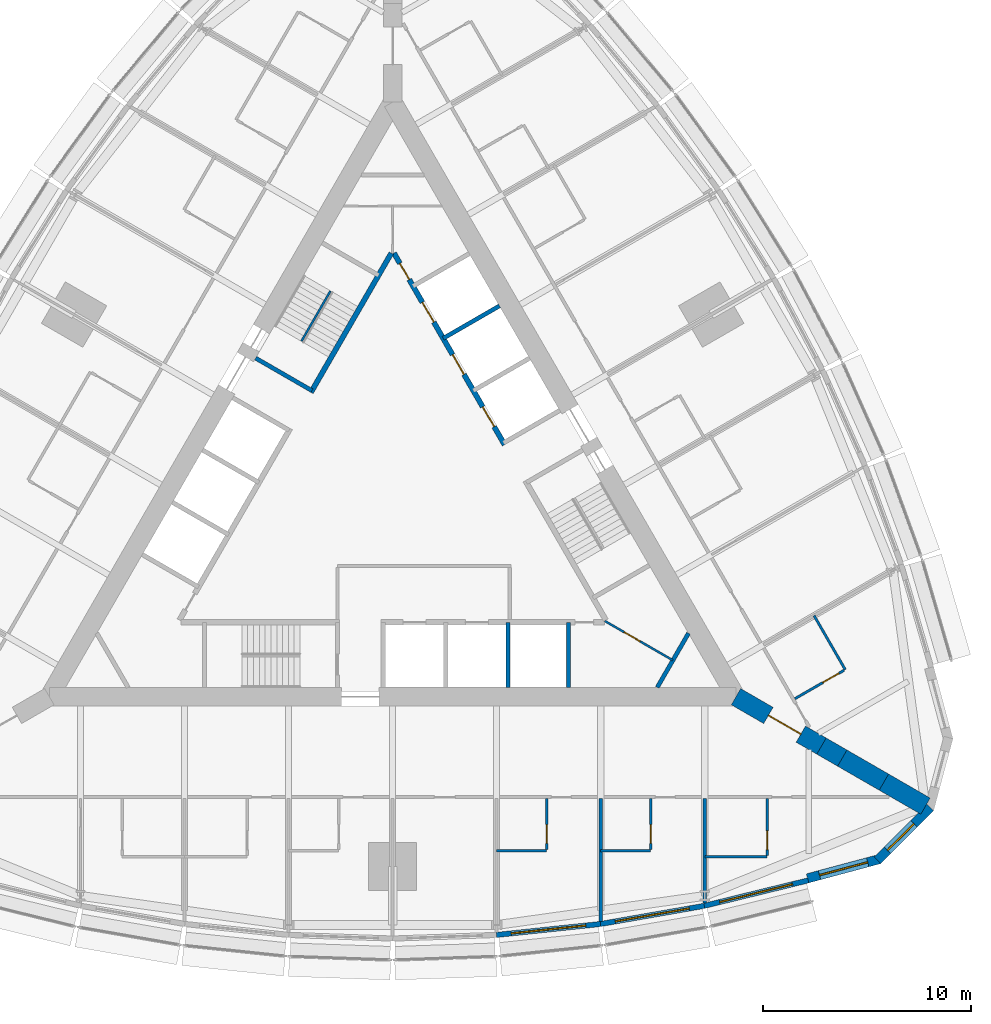
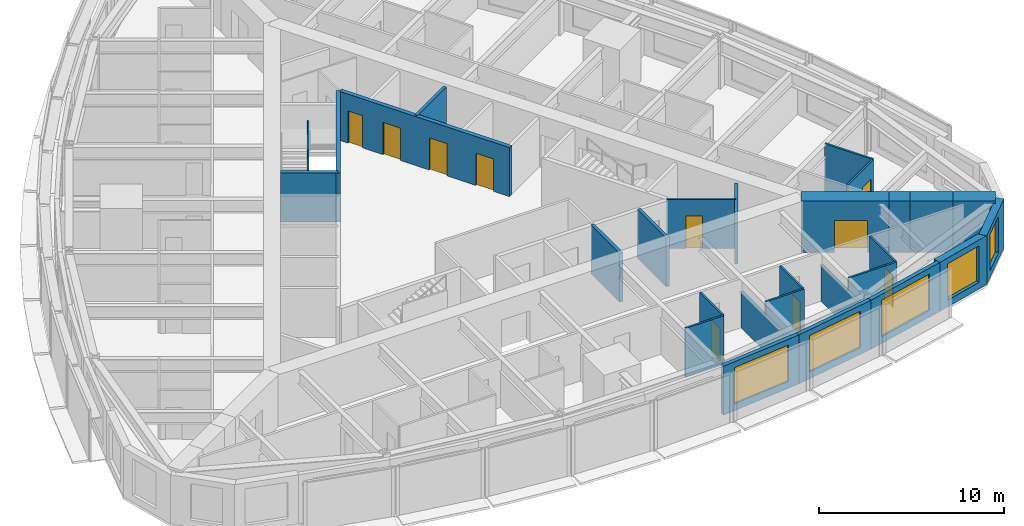
# One storey, part 10 of 14: 28 walls, 10 doors, 5 windows, 15 openings.
"""IFC4 building model written with IfcOpenShell, lengths in metres."""

from ifc_helpers import new_model, si_unit, direction, frame, frame_2d, origin, place, context, subcontext, project, spatial, polyline, rectangle, outline, extrude, material, layer, layer_set, type_object, element, fill, save


model = new_model("IFC4")

# Units and contexts
model_context = context("Model", 3, precision=1e-05, world=origin(), true_north=direction((0.0, 1.0)))
body_context = subcontext(model_context, "Body", "Model", "MODEL_VIEW")
ifc_project = project(units=[si_unit("LENGTHUNIT", "METRE"), si_unit("AREAUNIT", "SQUARE_METRE"), si_unit("VOLUMEUNIT", "CUBIC_METRE"), si_unit("PLANEANGLEUNIT", "RADIAN"), si_unit("MASSUNIT", "GRAM", prefix="KILO")], contexts=[model_context])

# Site, building, storey
site_placement = place(None, origin())
site = spatial("IfcSite", under=ifc_project, at=site_placement, CompositionType="ELEMENT")
building_placement = place(site_placement, origin())
building = spatial("IfcBuilding", under=site, at=building_placement, Name="Trikona Tower", CompositionType="ELEMENT")
storey_placement = place(building_placement, frame((0.0, 0.0, 145.300048828125)))
storey = spatial("IfcBuildingStorey", under=building, at=storey_placement, Name="L38", CompositionType="ELEMENT", Elevation=145.300048828125)

# Wall
ifc_material_1 = material(Name="Metal stud and cement board", Category="gypsum")
ifc_layer_1 = layer(ifc_material_1, 0.1201171875)
ifc_layer_set_1 = layer_set([ifc_layer_1], Name="Bathroom wall 120")
wall_type_1 = type_object("IfcWallType", Name="Bathroom wall 120", PredefinedType="PLUMBINGWALL", material=ifc_layer_set_1)
wall_1_placement = place(storey_placement, frame((5.0, -16.92626953125, 0.0), z_axis=(0.0, 0.0, 1.0), x_axis=(1.0, 0.0, 0.0)))
element("IfcWall", 1, at=wall_1_placement, inside=storey, type_object=wall_type_1, Name="Bathroom wall 3804", PredefinedType="PLUMBINGWALL", context=body_context, shape_type="SweptSolid", body=[
    extrude(rectangle(XDim=2.39990234375, YDim=0.1201171875, at=frame_2d((1.199951171875, 0.0))), origin(), (0.0, 0.0, 1.0), 3.23486328125),
])

# Wall, opening, door
wall_2_placement = place(storey_placement, frame((7.39990234375, -14.42626953125, 0.0), z_axis=(0.0, 0.0, 1.0), x_axis=(0.0, -1.0, 0.0)))
wall_2 = element("IfcWall", 2, at=wall_2_placement, inside=storey, type_object=wall_type_1, Name="Bathroom wall 3804", PredefinedType="PLUMBINGWALL", context=body_context, shape_type="SweptSolid", body=[
    extrude(rectangle(XDim=2.43994140625, YDim=0.1201171875, at=frame_2d((1.219970703125, 0.0))), origin(), (0.0, 0.0, 1.0), 3.23486328125),
])
opening_1_placement = place(wall_2_placement, frame((1.25, 0.0, 0.0)))
opening_1 = element("IfcOpeningElement", 3, at=opening_1_placement, cuts=wall_2, Name="Opening D2", PredefinedType="OPENING", context=body_context, shape_type="SweptSolid", body=[
    extrude(rectangle(XDim=0.89990234375, YDim=2.1298828125, at=frame_2d((0.449951171875, 1.06494140625))), frame((0.0, 0.070068359375, 0.0), z_axis=(0.0, -1.0, 0.0), x_axis=(1.0, 0.0, 0.0)), (0.0, 0.0, 1.0), 0.14013671875),
])
ifc_material_2 = material(Name="Steel door frame with solid-core timber leaf", Category="steel")
door_type_1 = type_object("IfcDoorType", Name="Bathroom door 900x2130", OperationType="SLIDING_TO_LEFT", PredefinedType="DOOR", material=ifc_material_2)
door_1_placement = place(opening_1_placement, origin())
door_1 = element("IfcDoor", 4, at=door_1_placement, inside=storey, type_object=door_type_1, Name="Bathroom door 3804", OperationType="SLIDING_TO_LEFT", OverallHeight=2.1298828125, OverallWidth=0.89990234375, PredefinedType="DOOR", context=body_context, shape_type="SweptSolid", body=[
    extrude(rectangle(XDim=0.89990234375, YDim=2.1298828125, at=frame_2d((0.449951171875, 1.06494140625))), frame((0.0, 0.02490234375, 0.0), z_axis=(0.0, -1.0, 0.0), x_axis=(1.0, 0.0, 0.0)), (0.0, 0.0, 1.0), 0.050048828125),
])
fill(opening_1, door_1)

# Wall
wall_3_placement = place(storey_placement, frame((10.0, -16.92626953125, 0.0), z_axis=(0.0, 0.0, 1.0), x_axis=(1.0, 0.0, 0.0)))
element("IfcWall", 5, at=wall_3_placement, inside=storey, type_object=wall_type_1, Name="Bathroom wall 3805", PredefinedType="PLUMBINGWALL", context=body_context, shape_type="SweptSolid", body=[
    extrude(rectangle(XDim=2.39990234375, YDim=0.1201171875, at=frame_2d((1.199951171875, 0.0))), origin(), (0.0, 0.0, 1.0), 3.23486328125),
])

# Wall, opening, door
wall_4_placement = place(storey_placement, frame((12.39990234375, -14.42626953125, 0.0), z_axis=(0.0, 0.0, 1.0), x_axis=(0.0, -1.0, 0.0)))
wall_4 = element("IfcWall", 6, at=wall_4_placement, inside=storey, type_object=wall_type_1, Name="Bathroom wall 3805", PredefinedType="PLUMBINGWALL", context=body_context, shape_type="SweptSolid", body=[
    extrude(rectangle(XDim=2.43994140625, YDim=0.1201171875, at=frame_2d((1.219970703125, 0.0))), origin(), (0.0, 0.0, 1.0), 3.23486328125),
])
opening_2_placement = place(wall_4_placement, frame((1.25, 0.0, 0.0)))
opening_2 = element("IfcOpeningElement", 7, at=opening_2_placement, cuts=wall_4, Name="Opening D2", PredefinedType="OPENING", context=body_context, shape_type="SweptSolid", body=[
    extrude(rectangle(XDim=0.89990234375, YDim=2.1298828125, at=frame_2d((0.449951171875, 1.06494140625))), frame((0.0, 0.070068359375, 0.0), z_axis=(0.0, -1.0, 0.0), x_axis=(1.0, 0.0, 0.0)), (0.0, 0.0, 1.0), 0.14013671875),
])
door_2_placement = place(opening_2_placement, origin())
door_2 = element("IfcDoor", 8, at=door_2_placement, inside=storey, type_object=door_type_1, Name="Bathroom door 3805", OperationType="SLIDING_TO_LEFT", OverallHeight=2.1298828125, OverallWidth=0.89990234375, PredefinedType="DOOR", context=body_context, shape_type="SweptSolid", body=[
    extrude(rectangle(XDim=0.89990234375, YDim=2.1298828125, at=frame_2d((0.449951171875, 1.06494140625))), frame((0.0, 0.02490234375, 0.0), z_axis=(0.0, -1.0, 0.0), x_axis=(1.0, 0.0, 0.0)), (0.0, 0.0, 1.0), 0.050048828125),
])
fill(opening_2, door_2)

# Wall
wall_5_placement = place(storey_placement, frame((15.0, -17.226318359375, 0.0), z_axis=(0.0, 0.0, 1.0), x_axis=(1.0, 0.0, 0.0)))
element("IfcWall", 9, at=wall_5_placement, inside=storey, type_object=wall_type_1, Name="Bathroom wall 3806", PredefinedType="PLUMBINGWALL", context=body_context, shape_type="SweptSolid", body=[
    extrude(rectangle(XDim=3.0, YDim=0.1201171875, at=frame_2d((1.5, 0.0))), origin(), (0.0, 0.0, 1.0), 3.23486328125),
])

# Wall, opening, door
wall_6_placement = place(storey_placement, frame((18.0, -14.42626953125, 0.0), z_axis=(0.0, 0.0, 1.0), x_axis=(0.0, -1.0, 0.0)))
wall_6 = element("IfcWall", 10, at=wall_6_placement, inside=storey, type_object=wall_type_1, Name="Bathroom wall 3806", PredefinedType="PLUMBINGWALL", context=body_context, shape_type="SweptSolid", body=[
    extrude(rectangle(XDim=2.739990234375, YDim=0.1201171875, at=frame_2d((1.3701171875, 0.0))), origin(), (0.0, 0.0, 1.0), 3.23486328125),
])
opening_3_placement = place(wall_6_placement, frame((1.550048828125, 0.0, 0.0)))
opening_3 = element("IfcOpeningElement", 11, at=opening_3_placement, cuts=wall_6, Name="Opening D2", PredefinedType="OPENING", context=body_context, shape_type="SweptSolid", body=[
    extrude(rectangle(XDim=0.89990234375, YDim=2.1298828125, at=frame_2d((0.449951171875, 1.06494140625))), frame((0.0, 0.070068359375, 0.0), z_axis=(0.0, -1.0, 0.0), x_axis=(1.0, 0.0, 0.0)), (0.0, 0.0, 1.0), 0.14013671875),
])
door_3_placement = place(opening_3_placement, origin())
door_3 = element("IfcDoor", 12, at=door_3_placement, inside=storey, type_object=door_type_1, Name="Bathroom door 3806", OperationType="SLIDING_TO_LEFT", OverallHeight=2.1298828125, OverallWidth=0.89990234375, PredefinedType="DOOR", context=body_context, shape_type="SweptSolid", body=[
    extrude(rectangle(XDim=0.89990234375, YDim=2.1298828125, at=frame_2d((0.449951171875, 1.06494140625))), frame((0.0, 0.02490234375, 0.0), z_axis=(0.0, -1.0, 0.0), x_axis=(1.0, 0.0, 0.0)), (0.0, 0.0, 1.0), 0.050048828125),
])
fill(opening_3, door_3)

# Wall
wall_7_placement = place(storey_placement, frame((21.75341796875, -8.225341796875, 0.0), z_axis=(0.0, 0.0, 1.0), x_axis=(-0.499990139034, 0.866031096941, 0.0)))
element("IfcWall", 13, at=wall_7_placement, inside=storey, type_object=wall_type_1, Name="Bathroom wall 3807", PredefinedType="PLUMBINGWALL", context=body_context, shape_type="SweptSolid", body=[
    extrude(rectangle(XDim=3.0, YDim=0.1201171875, at=frame_2d((1.5, 0.0))), origin(), (0.0, 0.0, 1.0), 3.23486328125),
])

# Wall, opening, door
wall_8_placement = place(storey_placement, frame((19.32861328125, -9.625244140625, 0.0), z_axis=(0.0, 0.0, 1.0), x_axis=(0.866035715982, 0.499982138324, 0.0)))
wall_8 = element("IfcWall", 14, at=wall_8_placement, inside=storey, type_object=wall_type_1, Name="Bathroom wall 3807", PredefinedType="PLUMBINGWALL", context=body_context, shape_type="SweptSolid", body=[
    extrude(rectangle(XDim=2.73974609375, YDim=0.1201171875, at=frame_2d((1.369873046875, 0.0))), origin(), (0.0, 0.0, 1.0), 3.23486328125),
])
opening_4_placement = place(wall_8_placement, frame((1.550048828125, 0.0, 0.0)))
opening_4 = element("IfcOpeningElement", 15, at=opening_4_placement, cuts=wall_8, Name="Opening D2", PredefinedType="OPENING", context=body_context, shape_type="SweptSolid", body=[
    extrude(rectangle(XDim=0.89990234375, YDim=2.1298828125, at=frame_2d((0.449951171875, 1.06494140625))), frame((0.0, 0.070068359375, 0.0), z_axis=(0.0, -1.0, 0.0), x_axis=(1.0, 0.0, 0.0)), (0.0, 0.0, 1.0), 0.14013671875),
])
door_4_placement = place(opening_4_placement, origin())
door_4 = element("IfcDoor", 16, at=door_4_placement, inside=storey, type_object=door_type_1, Name="Bathroom door 3807", OperationType="SLIDING_TO_LEFT", OverallHeight=2.1298828125, OverallWidth=0.89990234375, PredefinedType="DOOR", context=body_context, shape_type="SweptSolid", body=[
    extrude(rectangle(XDim=0.89990234375, YDim=2.1298828125, at=frame_2d((0.449951171875, 1.06494140625))), frame((0.0, 0.02490234375, 0.0), z_axis=(0.0, -1.0, 0.0), x_axis=(1.0, 0.0, 0.0)), (0.0, 0.0, 1.0), 0.050048828125),
])
fill(opening_4, door_4)

# Wall, opening, window
ifc_material_3 = material(Name="Brick-faced precast concrete", Category="masonry")
ifc_layer_2 = layer(ifc_material_3, 0.449951171875)
ifc_layer_set_2 = layer_set([ifc_layer_2], Name="Brick-faced corner wall 450")
wall_type_2 = type_object("IfcWallType", Name="Brick-faced corner wall 450", PredefinedType="SOLIDWALL", material=ifc_layer_set_2)
wall_9_placement = place(storey_placement, frame((19.94189453125, -18.2578125, 0.0), z_axis=(0.0, 0.0, 1.0), x_axis=(0.965924653531, 0.258823421857, 0.0)))
wall_9 = element("IfcWall", 17, at=wall_9_placement, inside=storey, type_object=wall_type_2, Name="External wall L38-08", PredefinedType="SOLIDWALL", context=body_context, shape_type="SweptSolid", body=[
    extrude(rectangle(XDim=3.58642578125, YDim=0.449951171875, at=frame_2d((1.793212890625, 0.0))), origin(), (0.0, 0.0, 1.0), 3.23486328125),
])
opening_5_placement = place(wall_9_placement, frame((0.593017578125, 0.0, 0.449951171875)))
opening_5 = element("IfcOpeningElement", 18, at=opening_5_placement, cuts=wall_9, Name="Opening W2424", PredefinedType="OPENING", context=body_context, shape_type="SweptSolid", body=[
    extrude(rectangle(XDim=2.39990234375, YDim=2.39990234375, at=frame_2d((1.199951171875, 1.199951171875))), frame((0.0, 0.23486328125, 0.0), z_axis=(0.0, -1.0, 0.0), x_axis=(1.0, 0.0, 0.0)), (0.0, 0.0, 1.0), 0.469970703125),
])
ifc_material_4 = material(Name="Aluminium-framed double glazing", Category="aluminium")
window_type_1 = type_object("IfcWindowType", Name="Window 2400x2400", PartitioningType="SINGLE_PANEL", PredefinedType="WINDOW", material=ifc_material_4)
window_1_placement = place(opening_5_placement, origin())
window_1 = element("IfcWindow", 19, at=window_1_placement, inside=storey, type_object=window_type_1, Name="Window 3806", OverallHeight=2.39990234375, OverallWidth=2.39990234375, PartitioningType="SINGLE_PANEL", PredefinedType="WINDOW", context=body_context, shape_type="SweptSolid", body=[
    extrude(rectangle(XDim=2.39990234375, YDim=2.39990234375, at=frame_2d((1.199951171875, 1.199951171875))), frame((0.0, 0.030029296875, 0.0), z_axis=(0.0, -1.0, 0.0), x_axis=(1.0, 0.0, 0.0)), (0.0, 0.0, 1.0), 0.06005859375),
])
fill(opening_5, window_1)

wall_10_placement = place(storey_placement, frame((23.304931640625, -17.387939453125, 0.0), z_axis=(0.0, 0.0, 1.0), x_axis=(0.707106781187, 0.707106781187, 0.0)))
wall_10 = element("IfcWall", 20, at=wall_10_placement, inside=storey, type_object=wall_type_2, Name="External wall L38-09", PredefinedType="SOLIDWALL", context=body_context, shape_type="SweptSolid", body=[
    extrude(outline(polyline([(3.586181640625, 0.22509765625), (3.527099609375, 0.22509765625), (3.03515625, 0.09326171875), (3.0, 0.22509765625), (0.0, 0.22509765625), (0.0, -0.22509765625), (3.586181640625, -0.22509765625), (3.586181640625, 0.22509765625)])), origin(), (0.0, 0.0, 1.0), 3.23486328125),
])
opening_6_placement = place(wall_10_placement, frame((0.6748046875, 0.0, 0.449951171875)))
opening_6 = element("IfcOpeningElement", 21, at=opening_6_placement, cuts=wall_10, Name="Opening W1824", PredefinedType="OPENING", context=body_context, shape_type="SweptSolid", body=[
    extrude(rectangle(XDim=1.800048828125, YDim=2.39990234375, at=frame_2d((0.89990234375, 1.199951171875))), frame((0.0, 0.23486328125, 0.0), z_axis=(0.0, -1.0, 0.0), x_axis=(1.0, 0.0, 0.0)), (0.0, 0.0, 1.0), 0.469970703125),
])
ifc_material_5 = material(Name="Aluminium-framed double glazing", Category="aluminium")
window_type_2 = type_object("IfcWindowType", Name="Window 1800x2400", PartitioningType="SINGLE_PANEL", PredefinedType="WINDOW", material=ifc_material_5)
window_2_placement = place(opening_6_placement, origin())
window_2 = element("IfcWindow", 22, at=window_2_placement, inside=storey, type_object=window_type_2, Name="Window 3806", OverallHeight=2.39990234375, OverallWidth=1.800048828125, PartitioningType="SINGLE_PANEL", PredefinedType="WINDOW", context=body_context, shape_type="SweptSolid", body=[
    extrude(rectangle(XDim=1.800048828125, YDim=2.39990234375, at=frame_2d((0.89990234375, 1.199951171875))), frame((0.0, 0.030029296875, 0.0), z_axis=(0.0, -1.0, 0.0), x_axis=(1.0, 0.0, 0.0)), (0.0, 0.0, 1.0), 0.06005859375),
])
fill(opening_6, window_2)

# Wall, opening, door
ifc_material_6 = material(Name="Concrete f'c 10000 psi", Category="concrete")
ifc_layer_3 = layer(ifc_material_6, 0.89990234375)
ifc_layer_set_3 = layer_set([ifc_layer_3], Name="Buttress wall 900")
wall_type_3 = type_object("IfcWallType", Name="Buttress wall 900", PredefinedType="SHEAR", material=ifc_layer_set_3)
wall_11_placement = place(storey_placement, frame((16.5, -9.5263671875, 0.0), z_axis=(0.0, 0.0, 1.0), x_axis=(0.866031398331, -0.499989616998, 0.0)))
wall_11 = element("IfcWall", 23, at=wall_11_placement, inside=storey, type_object=wall_type_3, Name="Buttress wall 1", PredefinedType="SHEAR", context=body_context, shape_type="SweptSolid", body=[
    extrude(rectangle(XDim=4.74609375, YDim=0.89990234375, at=frame_2d((2.373046875, 0.0))), origin(), (0.0, 0.0, 1.0), 3.39990234375),
])
opening_7_placement = place(wall_11_placement, frame((1.800048828125, 0.0, 0.0)))
opening_7 = element("IfcOpeningElement", 24, at=opening_7_placement, cuts=wall_11, Name="Opening D10", PredefinedType="OPENING", context=body_context, shape_type="SweptSolid", body=[
    extrude(rectangle(XDim=1.800048828125, YDim=2.1298828125, at=frame_2d((0.89990234375, 1.06494140625))), frame((0.0, 0.4599609375, 0.0), z_axis=(0.0, -1.0, 0.0), x_axis=(1.0, 0.0, 0.0)), (0.0, 0.0, 1.0), 0.919921875),
])
ifc_material_7 = material(Name="Hollow metal door and frame", Category="steel")
door_type_2 = type_object("IfcDoorType", Name="Cross-corridor door pair 1800x2130", OperationType="DOUBLE_DOOR_DOUBLE_SWING", PredefinedType="DOOR", material=ifc_material_7)
door_5_placement = place(opening_7_placement, origin())
door_5 = element("IfcDoor", 25, at=door_5_placement, inside=storey, type_object=door_type_2, Name="Cross-corridor door 1", OperationType="DOUBLE_DOOR_DOUBLE_SWING", OverallHeight=2.1298828125, OverallWidth=1.800048828125, PredefinedType="DOOR", context=body_context, shape_type="SweptSolid", body=[
    extrude(rectangle(XDim=1.800048828125, YDim=2.1298828125, at=frame_2d((0.89990234375, 1.06494140625))), frame((0.0, 0.02490234375, 0.0), z_axis=(0.0, -1.0, 0.0), x_axis=(1.0, 0.0, 0.0)), (0.0, 0.0, 1.0), 0.050048828125),
])
fill(opening_7, door_5)

# Walls
wall_12_placement = place(storey_placement, frame((20.6103515625, -11.8994140625, 0.0), z_axis=(0.0, 0.0, 1.0), x_axis=(0.866009537788, -0.500027479704, 0.0)))
element("IfcWall", 26, at=wall_12_placement, inside=storey, type_object=wall_type_3, Name="Buttress wall 1 part 2", PredefinedType="SHEAR", context=body_context, shape_type="SweptSolid", body=[
    extrude(rectangle(XDim=1.15478515625, YDim=0.89990234375, at=frame_2d((0.577392578125, 0.0))), origin(), (0.0, 0.0, 1.0), 3.39990234375),
])
for number, where, z_axis, x_axis, name in (
    (27, (21.6103515625, -12.476806640625, 0.0), (0.0, 0.0, 1.0), (0.866055313784, -0.499948190782, 0.0), "Buttress wall 1 part 3"),
    (28, (23.6103515625, -13.63134765625, 0.0), (0.0, 0.0, 1.0), (0.866009537788, -0.500027479704, 0.0), "Buttress wall 1 part 4"),
):
    element("IfcWall", number, at=place(storey_placement, frame(where, z_axis=z_axis, x_axis=x_axis)), inside=storey, type_object=wall_type_3, Name=name, PredefinedType="SHEAR", context=body_context, shape_type="SweptSolid", body=[
        extrude(rectangle(XDim=2.309326171875, YDim=0.89990234375, at=frame_2d((1.15478515625, 0.0))), origin(), (0.0, 0.0, 1.0), 3.39990234375),
    ])

# Wall, openings, doors
ifc_material_8 = material(Name="Concrete f'c 8000 psi", Category="concrete")
ifc_layer_4 = layer(ifc_material_8, 0.25)
ifc_layer_set_4 = layer_set([ifc_layer_4], Name="Hub wall 250")
wall_type_4 = type_object("IfcWallType", Name="Hub wall 250", PredefinedType="SOLIDWALL", material=ifc_layer_set_4)
wall_13_placement = place(storey_placement, frame((5.37890625, 2.5859375, 0.0), z_axis=(0.0, 0.0, 1.0), x_axis=(-0.500001375892, 0.866024609411, 0.0)))
wall_13 = element("IfcWall", 29, at=wall_13_placement, inside=storey, type_object=wall_type_4, Name="Lift lobby wall B2", PredefinedType="SOLIDWALL", context=body_context, shape_type="SweptSolid", body=[
    extrude(rectangle(XDim=10.6328125, YDim=0.25, at=frame_2d((5.31640625, 0.0))), origin(), (0.0, 0.0, 1.0), 3.23486328125),
])
opening_8_placement = place(wall_13_placement, frame((9.1640625, 0.0, 0.0)))
opening_8 = element("IfcOpeningElement", 30, at=opening_8_placement, cuts=wall_13, Name="Opening D14", PredefinedType="OPENING", context=body_context, shape_type="SweptSolid", body=[
    extrude(rectangle(XDim=0.89990234375, YDim=2.1298828125, at=frame_2d((0.449951171875, 1.06494140625))), frame((0.0, 0.135009765625, 0.0), z_axis=(0.0, -1.0, 0.0), x_axis=(1.0, 0.0, 0.0)), (0.0, 0.0, 1.0), 0.27001953125),
])
opening_9_placement = place(wall_13_placement, frame((1.0, 0.0, 0.0)))
opening_9 = element("IfcOpeningElement", 31, at=opening_9_placement, cuts=wall_13, Name="Opening LD", PredefinedType="OPENING", context=body_context, shape_type="SweptSolid", body=[
    extrude(rectangle(XDim=1.10009765625, YDim=2.1298828125, at=frame_2d((0.550048828125, 1.06494140625))), frame((0.0, 0.135009765625, 0.0), z_axis=(0.0, -1.0, 0.0), x_axis=(1.0, 0.0, 0.0)), (0.0, 0.0, 1.0), 0.27001953125),
])
opening_10_placement = place(wall_13_placement, frame((3.89990234375, 0.0, 0.0)))
opening_10 = element("IfcOpeningElement", 32, at=opening_10_placement, cuts=wall_13, Name="Opening LD", PredefinedType="OPENING", context=body_context, shape_type="SweptSolid", body=[
    extrude(rectangle(XDim=1.10009765625, YDim=2.1298828125, at=frame_2d((0.550048828125, 1.06494140625))), frame((0.0, 0.135009765625, 0.0), z_axis=(0.0, -1.0, 0.0), x_axis=(1.0, 0.0, 0.0)), (0.0, 0.0, 1.0), 0.27001953125),
])
opening_11_placement = place(wall_13_placement, frame((6.800048828125, 0.0, 0.0)))
opening_11 = element("IfcOpeningElement", 33, at=opening_11_placement, cuts=wall_13, Name="Opening LD", PredefinedType="OPENING", context=body_context, shape_type="SweptSolid", body=[
    extrude(rectangle(XDim=1.10009765625, YDim=2.1298828125, at=frame_2d((0.550048828125, 1.06494140625))), frame((0.0, 0.135009765625, 0.0), z_axis=(0.0, -1.0, 0.0), x_axis=(1.0, 0.0, 0.0)), (0.0, 0.0, 1.0), 0.27001953125),
])
ifc_material_9 = material(Name="Stainless steel lift landing door", Category="steel")
door_type_3 = type_object("IfcDoorType", Name="Lift landing door 1100x2130", OperationType="DOUBLE_DOOR_SLIDING", PredefinedType="USERDEFINED", material=ifc_material_9)
door_6_placement = place(opening_9_placement, origin())
door_6 = element("IfcDoor", 34, at=door_6_placement, inside=storey, type_object=door_type_3, Name="Lift landing door L2-1", ObjectType="LIFT LANDING DOOR", OperationType="DOUBLE_DOOR_SLIDING", OverallHeight=2.1298828125, OverallWidth=1.10009765625, PredefinedType="USERDEFINED", context=body_context, shape_type="SweptSolid", body=[
    extrude(rectangle(XDim=1.10009765625, YDim=2.1298828125, at=frame_2d((0.550048828125, 1.06494140625))), frame((0.0, 0.02490234375, 0.0), z_axis=(0.0, -1.0, 0.0), x_axis=(1.0, 0.0, 0.0)), (0.0, 0.0, 1.0), 0.050048828125),
])
fill(opening_9, door_6)
door_7_placement = place(opening_10_placement, origin())
door_7 = element("IfcDoor", 35, at=door_7_placement, inside=storey, type_object=door_type_3, Name="Lift landing door L2-2", ObjectType="LIFT LANDING DOOR", OperationType="DOUBLE_DOOR_SLIDING", OverallHeight=2.1298828125, OverallWidth=1.10009765625, PredefinedType="USERDEFINED", context=body_context, shape_type="SweptSolid", body=[
    extrude(rectangle(XDim=1.10009765625, YDim=2.1298828125, at=frame_2d((0.550048828125, 1.06494140625))), frame((0.0, 0.02490234375, 0.0), z_axis=(0.0, -1.0, 0.0), x_axis=(1.0, 0.0, 0.0)), (0.0, 0.0, 1.0), 0.050048828125),
])
fill(opening_10, door_7)
door_8_placement = place(opening_11_placement, origin())
door_8 = element("IfcDoor", 36, at=door_8_placement, inside=storey, type_object=door_type_3, Name="Lift landing door L2-3", ObjectType="LIFT LANDING DOOR", OperationType="DOUBLE_DOOR_SLIDING", OverallHeight=2.1298828125, OverallWidth=1.10009765625, PredefinedType="USERDEFINED", context=body_context, shape_type="SweptSolid", body=[
    extrude(rectangle(XDim=1.10009765625, YDim=2.1298828125, at=frame_2d((0.550048828125, 1.06494140625))), frame((0.0, 0.02490234375, 0.0), z_axis=(0.0, -1.0, 0.0), x_axis=(1.0, 0.0, 0.0)), (0.0, 0.0, 1.0), 0.050048828125),
])
fill(opening_11, door_8)
ifc_material_10 = material(Name="Hollow metal door and frame", Category="steel")
door_type_4 = type_object("IfcDoorType", Name="Service room door 900x2130", OperationType="SINGLE_SWING_LEFT", PredefinedType="DOOR", material=ifc_material_10)
door_9_placement = place(opening_8_placement, origin())
door_9 = element("IfcDoor", 37, at=door_9_placement, inside=storey, type_object=door_type_4, Name="Door Linen store LIN", OperationType="SINGLE_SWING_RIGHT", OverallHeight=2.1298828125, OverallWidth=0.89990234375, PredefinedType="DOOR", context=body_context, shape_type="SweptSolid", body=[
    extrude(rectangle(XDim=0.89990234375, YDim=2.1298828125, at=frame_2d((0.449951171875, 1.06494140625))), frame((0.0, 0.02490234375, 0.0), z_axis=(0.0, -1.0, 0.0), x_axis=(1.0, 0.0, 0.0)), (0.0, 0.0, 1.0), 0.050048828125),
])
fill(opening_8, door_9)

# Wall
wall_14_placement = place(storey_placement, frame((-0.0625, 11.794189453125, 0.0), z_axis=(0.0, 0.0, 1.0), x_axis=(-0.500006680225, -0.86602154692, 0.0)))
element("IfcWall", 38, at=wall_14_placement, inside=storey, type_object=wall_type_4, Name="Lift lobby wall C1", PredefinedType="SOLIDWALL", context=body_context, shape_type="SweptSolid", body=[
    extrude(rectangle(XDim=7.73291015625, YDim=0.25, at=frame_2d((3.866455078125, 0.0))), origin(), (0.0, 0.0, 1.0), 3.23486328125),
])

# Wall, opening, window
ifc_material_11 = material(Name="Insulated precast concrete spandrel panel", Category="concrete")
ifc_layer_5 = layer(ifc_material_11, 0.25)
ifc_layer_set_5 = layer_set([ifc_layer_5], Name="Inner skin wall 250")
wall_type_5 = type_object("IfcWallType", Name="Inner skin wall 250", PredefinedType="STANDARD", material=ifc_layer_set_5)
wall_15_placement = place(storey_placement, frame((4.98681640625, -20.975830078125, 0.0), z_axis=(0.0, 0.0, 1.0), x_axis=(0.994534683851, 0.104406717299, 0.0)))
wall_15 = element("IfcWall", 39, at=wall_15_placement, inside=storey, type_object=wall_type_5, Name="External wall L38-05", PredefinedType="STANDARD", context=body_context, shape_type="SweptSolid", body=[
    extrude(rectangle(XDim=5.027587890625, YDim=0.25, at=frame_2d((2.513671875, 0.0))), origin(), (0.0, 0.0, 1.0), 3.23486328125),
])
opening_12_placement = place(wall_15_placement, frame((0.713623046875, 0.0, 0.449951171875)))
opening_12 = element("IfcOpeningElement", 40, at=opening_12_placement, cuts=wall_15, Name="Opening W3624", PredefinedType="OPENING", context=body_context, shape_type="SweptSolid", body=[
    extrude(rectangle(XDim=3.60009765625, YDim=2.39990234375, at=frame_2d((1.800048828125, 1.199951171875))), frame((0.0, 0.135009765625, 0.0), z_axis=(0.0, -1.0, 0.0), x_axis=(1.0, 0.0, 0.0)), (0.0, 0.0, 1.0), 0.27001953125),
])
ifc_material_12 = material(Name="Aluminium-framed double glazing", Category="aluminium")
window_type_3 = type_object("IfcWindowType", Name="Window 3600x2400", PartitioningType="SINGLE_PANEL", PredefinedType="WINDOW", material=ifc_material_12)
window_3_placement = place(opening_12_placement, origin())
window_3 = element("IfcWindow", 41, at=window_3_placement, inside=storey, type_object=window_type_3, Name="Window 3804", OverallHeight=2.39990234375, OverallWidth=3.60009765625, PartitioningType="SINGLE_PANEL", PredefinedType="WINDOW", context=body_context, shape_type="SweptSolid", body=[
    extrude(rectangle(XDim=3.60009765625, YDim=2.39990234375, at=frame_2d((1.800048828125, 1.199951171875))), frame((0.0, 0.030029296875, 0.0), z_axis=(0.0, -1.0, 0.0), x_axis=(1.0, 0.0, 0.0)), (0.0, 0.0, 1.0), 0.06005859375),
])
fill(opening_12, window_3)

wall_16_placement = place(storey_placement, frame((9.978515625, -20.4521484375, 0.0), z_axis=(0.0, 0.0, 1.0), x_axis=(0.985030467156, 0.172380331752, 0.0)))
wall_16 = element("IfcWall", 42, at=wall_16_placement, inside=storey, type_object=wall_type_5, Name="External wall L38-06", PredefinedType="STANDARD", context=body_context, shape_type="SweptSolid", body=[
    extrude(rectangle(XDim=5.075927734375, YDim=0.25, at=frame_2d((2.5380859375, 0.0))), origin(), (0.0, 0.0, 1.0), 3.23486328125),
])
opening_13_placement = place(wall_16_placement, frame((0.738037109375, 0.0, 0.449951171875)))
opening_13 = element("IfcOpeningElement", 43, at=opening_13_placement, cuts=wall_16, Name="Opening W3624", PredefinedType="OPENING", context=body_context, shape_type="SweptSolid", body=[
    extrude(rectangle(XDim=3.60009765625, YDim=2.39990234375, at=frame_2d((1.800048828125, 1.199951171875))), frame((0.0, 0.135009765625, 0.0), z_axis=(0.0, -1.0, 0.0), x_axis=(1.0, 0.0, 0.0)), (0.0, 0.0, 1.0), 0.27001953125),
])
window_4_placement = place(opening_13_placement, origin())
window_4 = element("IfcWindow", 44, at=window_4_placement, inside=storey, type_object=window_type_3, Name="Window 3805", OverallHeight=2.39990234375, OverallWidth=3.60009765625, PartitioningType="SINGLE_PANEL", PredefinedType="WINDOW", context=body_context, shape_type="SweptSolid", body=[
    extrude(rectangle(XDim=3.60009765625, YDim=2.39990234375, at=frame_2d((1.800048828125, 1.199951171875))), frame((0.0, 0.030029296875, 0.0), z_axis=(0.0, -1.0, 0.0), x_axis=(1.0, 0.0, 0.0)), (0.0, 0.0, 1.0), 0.06005859375),
])
fill(opening_13, window_4)

wall_17_placement = place(storey_placement, frame((14.97021484375, -19.578857421875, 0.0), z_axis=(0.0, 0.0, 1.0), x_axis=(0.971270024053, 0.237980126011, 0.0)))
wall_17 = element("IfcWall", 45, at=wall_17_placement, inside=storey, type_object=wall_type_5, Name="External wall L38-07", PredefinedType="STANDARD", context=body_context, shape_type="SweptSolid", body=[
    extrude(rectangle(XDim=5.14794921875, YDim=0.25, at=frame_2d((2.573974609375, 0.0))), origin(), (0.0, 0.0, 1.0), 3.23486328125),
])
opening_14_placement = place(wall_17_placement, frame((0.77392578125, 0.0, 0.449951171875)))
opening_14 = element("IfcOpeningElement", 46, at=opening_14_placement, cuts=wall_17, Name="Opening W3624", PredefinedType="OPENING", context=body_context, shape_type="SweptSolid", body=[
    extrude(rectangle(XDim=3.60009765625, YDim=2.39990234375, at=frame_2d((1.800048828125, 1.199951171875))), frame((0.0, 0.135009765625, 0.0), z_axis=(0.0, -1.0, 0.0), x_axis=(1.0, 0.0, 0.0)), (0.0, 0.0, 1.0), 0.27001953125),
])
window_5_placement = place(opening_14_placement, origin())
window_5 = element("IfcWindow", 47, at=window_5_placement, inside=storey, type_object=window_type_3, Name="Window 3806", OverallHeight=2.39990234375, OverallWidth=3.60009765625, PartitioningType="SINGLE_PANEL", PredefinedType="WINDOW", context=body_context, shape_type="SweptSolid", body=[
    extrude(rectangle(XDim=3.60009765625, YDim=2.39990234375, at=frame_2d((1.800048828125, 1.199951171875))), frame((0.0, 0.030029296875, 0.0), z_axis=(0.0, -1.0, 0.0), x_axis=(1.0, 0.0, 0.0)), (0.0, 0.0, 1.0), 0.06005859375),
])
fill(opening_14, window_5)

# Walls
ifc_material_13 = material(Name="Metal stud and gypsum board, 1-hour acoustic", Category="gypsum")
ifc_layer_6 = layer(ifc_material_13, 0.14990234375)
ifc_layer_set_6 = layer_set([ifc_layer_6], Name="Party wall 150")
wall_type_6 = type_object("IfcWallType", Name="Party wall 150", PredefinedType="PARTITIONING", material=ifc_layer_set_6)
wall_18_placement = place(storey_placement, frame((10.0, -14.42626953125, 0.0), z_axis=(0.0, 0.0, 1.0), x_axis=(0.0, -1.0, 0.0)))
element("IfcWall", 48, at=wall_18_placement, inside=storey, type_object=wall_type_6, Name="Partition L38 F1 u10", PredefinedType="PARTITIONING", context=body_context, shape_type="SweptSolid", body=[
    extrude(rectangle(XDim=5.89501953125, YDim=0.14990234375, at=frame_2d((2.947509765625, 0.0))), origin(), (0.0, 0.0, 1.0), 2.38916015625),
])
wall_19_placement = place(storey_placement, frame((15.0, -14.42626953125, 0.0), z_axis=(0.0, 0.0, 1.0), x_axis=(0.0, -1.0, 0.0)))
element("IfcWall", 49, at=wall_19_placement, inside=storey, type_object=wall_type_6, Name="Partition L38 F1 u15", PredefinedType="PARTITIONING", context=body_context, shape_type="SweptSolid", body=[
    extrude(rectangle(XDim=5.0166015625, YDim=0.14990234375, at=frame_2d((2.50830078125, 0.0))), origin(), (0.0, 0.0, 1.0), 2.38916015625),
])
ifc_material_14 = material(Name="Concrete f'c 8000 psi", Category="concrete")
ifc_layer_7 = layer(ifc_material_14, 0.199951171875)
ifc_layer_set_7 = layer_set([ifc_layer_7], Name="Shaft wall 200")
wall_type_7 = type_object("IfcWallType", Name="Shaft wall 200", PredefinedType="SOLIDWALL", material=ifc_layer_set_7)
for number, where, z_axis, x_axis, name in (
    (50, (5.550048828125, -5.951416015625, 0.0), (0.0, 0.0, 1.0), (0.0, -1.0, 0.0), "Shaft wall A5"),
    (51, (8.449951171875, -5.951416015625, 0.0), (0.0, 0.0, 1.0), (0.0, -1.0, 0.0), "Shaft wall A6"),
    (52, (2.428955078125, 7.695556640625, 0.0), (0.0, 0.0, 1.0), (0.866022959057, 0.500004234368, 0.0), "Shaft wall B5"),
):
    element("IfcWall", number, at=place(storey_placement, frame(where, z_axis=z_axis, x_axis=x_axis)), inside=storey, type_object=wall_type_7, Name=name, PredefinedType="SOLIDWALL", context=body_context, shape_type="SweptSolid", body=[
        extrude(rectangle(XDim=3.125, YDim=0.199951171875, at=frame_2d((1.5625, 0.0))), origin(), (0.0, 0.0, 1.0), 3.23486328125),
    ])
wall_20_placement = place(storey_placement, frame((14.219482421875, -6.476318359375, 0.0), z_axis=(0.0, 0.0, 1.0), x_axis=(-0.499952404951, -0.866052881055, 0.0)))
element("IfcWall", 53, at=wall_20_placement, inside=storey, type_object=wall_type_7, Name="Riser wall L38-RS1", PredefinedType="SOLIDWALL", context=body_context, shape_type="SweptSolid", body=[
    extrude(rectangle(XDim=3.002197265625, YDim=0.199951171875, at=frame_2d((1.5009765625, 0.0))), origin(), (0.0, 0.0, 1.0), 3.23486328125),
])
ifc_material_15 = material(Name="Concrete f'c 8000 psi", Category="concrete")
ifc_layer_8 = layer(ifc_material_15, 0.199951171875)
ifc_layer_set_8 = layer_set([ifc_layer_8], Name="Shaft wall 200 load-bearing")
wall_type_8 = type_object("IfcWallType", Name="Shaft wall 200 load-bearing", PredefinedType="SOLIDWALL", material=ifc_layer_set_8)
wall_21_placement = place(storey_placement, frame((-3.87890625, 5.18408203125, 0.0), z_axis=(0.0, 0.0, 1.0), x_axis=(-0.866022959057, 0.500004234368, 0.0)))
element("IfcWall", 54, at=wall_21_placement, inside=storey, type_object=wall_type_8, Name="Shaft wall C2", PredefinedType="SOLIDWALL", context=body_context, shape_type="SweptSolid", body=[
    extrude(rectangle(XDim=3.125, YDim=0.199951171875, at=frame_2d((1.5625, 0.0))), origin(), (0.0, 0.0, 1.0), 3.23486328125),
])
ifc_material_16 = material(Name="Concrete f'c 5000 psi", Category="concrete")
ifc_layer_9 = layer(ifc_material_16, 0.10009765625)
ifc_layer_set_9 = layer_set([ifc_layer_9], Name="Stair spine wall 100")
wall_type_9 = type_object("IfcWallType", Name="Stair spine wall 100", PredefinedType="SOLIDWALL", material=ifc_layer_set_9)
wall_22_placement = place(storey_placement, frame((-2.98779296875, 9.9775390625, 0.0), z_axis=(0.0, 0.0, 1.0), x_axis=(-0.499992232847, -0.866029888106, 0.0)))
element("IfcWall", 55, at=wall_22_placement, inside=storey, type_object=wall_type_9, Name="Stair C spine wall L38", PredefinedType="SOLIDWALL", context=body_context, shape_type="SweptSolid", body=[
    extrude(rectangle(XDim=2.7939453125, YDim=0.10009765625, at=frame_2d((1.39697265625, 0.0))), origin(), (0.0, 0.0, 1.0), 3.39990234375),
])

# Wall, opening, door
ifc_material_17 = material(Name="Metal stud and gypsum board, acoustic", Category="gypsum")
ifc_layer_10 = layer(ifc_material_17, 0.10009765625)
ifc_layer_set_10 = layer_set([ifc_layer_10], Name="Suite partition 100")
wall_type_10 = type_object("IfcWallType", Name="Suite partition 100", PredefinedType="PARTITIONING", material=ifc_layer_set_10)
wall_23_placement = place(storey_placement, frame((13.468994140625, -7.7763671875, 0.0), z_axis=(0.0, 0.0, 1.0), x_axis=(-0.866021898093, 0.500006071987, 0.0)))
wall_23 = element("IfcWall", 56, at=wall_23_placement, inside=storey, type_object=wall_type_10, Name="Store partition L38-RS1", PredefinedType="PARTITIONING", context=body_context, shape_type="SweptSolid", body=[
    extrude(rectangle(XDim=3.775390625, YDim=0.10009765625, at=frame_2d((1.8876953125, 0.0))), origin(), (0.0, 0.0, 1.0), 3.23486328125),
])
opening_15_placement = place(wall_23_placement, frame((1.815185546875, 0.0, 0.0)))
opening_15 = element("IfcOpeningElement", 57, at=opening_15_placement, cuts=wall_23, Name="Opening D15", PredefinedType="OPENING", context=body_context, shape_type="SweptSolid", body=[
    extrude(rectangle(XDim=0.89990234375, YDim=2.1298828125, at=frame_2d((0.449951171875, 1.06494140625))), frame((0.0, 0.06005859375, 0.0), z_axis=(0.0, -1.0, 0.0), x_axis=(1.0, 0.0, 0.0)), (0.0, 0.0, 1.0), 0.1201171875),
])
ifc_material_18 = material(Name="Steel door frame with solid-core timber leaf", Category="steel")
door_type_5 = type_object("IfcDoorType", Name="Store door 900x2130", OperationType="SINGLE_SWING_LEFT", PredefinedType="DOOR", material=ifc_material_18)
door_10_placement = place(opening_15_placement, origin())
door_10 = element("IfcDoor", 58, at=door_10_placement, inside=storey, type_object=door_type_5, Name="Door Uniform store UNF", OperationType="SINGLE_SWING_RIGHT", OverallHeight=2.1298828125, OverallWidth=0.89990234375, PredefinedType="DOOR", context=body_context, shape_type="SweptSolid", body=[
    extrude(rectangle(XDim=0.89990234375, YDim=2.1298828125, at=frame_2d((0.449951171875, 1.06494140625))), frame((0.0, 0.02490234375, 0.0), z_axis=(0.0, -1.0, 0.0), x_axis=(1.0, 0.0, 0.0)), (0.0, 0.0, 1.0), 0.050048828125),
])
fill(opening_15, door_10)

save(model, "model.ifc")
